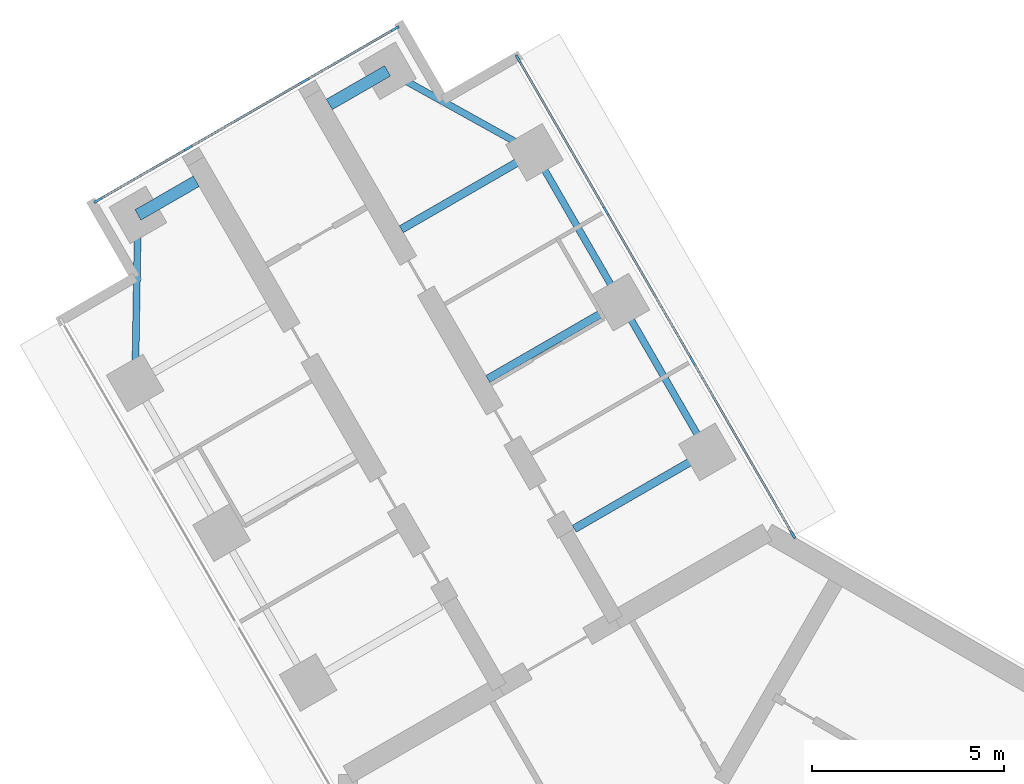
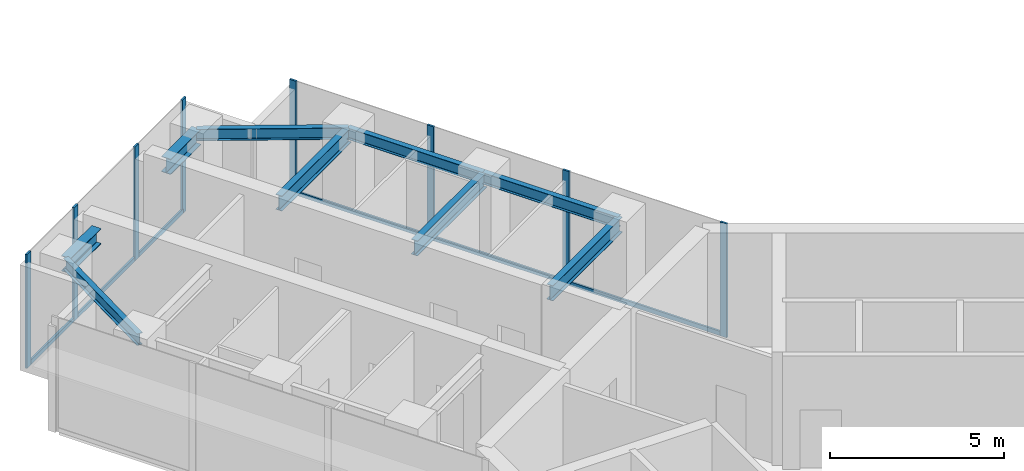
# One storey, part 6 of 17: 14 members, 9 beams, 2 elements without a shape of their own.
"""IFC4 building model written with IfcOpenShell, lengths in metres."""

from ifc_helpers import new_model, si_unit, direction, frame, origin, origin_2d, place, context, subcontext, project, spatial, rectangle, i_section, extrude, material, material_profile, profile_set, type_object, element, aggregate, save


model = new_model("IFC4")

# Units and contexts
model_context = context("Model", 3, precision=1e-05, world=origin(), true_north=direction((0.0, 1.0)))
body_context = subcontext(model_context, "Body", "Model", "MODEL_VIEW")
ifc_project = project(units=[si_unit("LENGTHUNIT", "METRE"), si_unit("AREAUNIT", "SQUARE_METRE"), si_unit("VOLUMEUNIT", "CUBIC_METRE"), si_unit("PLANEANGLEUNIT", "RADIAN"), si_unit("MASSUNIT", "GRAM", prefix="KILO")], contexts=[model_context])

# Site, building, storey
site_placement = place(None, origin())
site = spatial("IfcSite", under=ifc_project, at=site_placement, CompositionType="ELEMENT")
building_placement = place(site_placement, origin())
building = spatial("IfcBuilding", under=site, at=building_placement, Name="Upepo Twin Towers", CompositionType="ELEMENT")
storey_placement = place(building_placement, frame((0.0, 0.0, 234.5)))
storey = spatial("IfcBuildingStorey", under=building, at=storey_placement, Name="L57", CompositionType="ELEMENT", Elevation=234.5)

# Beams
ifc_material_1 = material(Name="Steel S355", Category="steel")
ifc_material_profile_1 = material_profile(ifc_material_1, i_section(OverallWidth=0.177978515625, OverallDepth=0.406494140625, WebThickness=0.0078125, FlangeThickness=0.0126953125, FilletRadius=0.01025390625, at=origin_2d()), Name="UB 406x178x60")
ifc_profile_set_1 = profile_set([ifc_material_profile_1], Name="Steel S355")
beam_type_1 = type_object("IfcBeamType", Name="Beam UB 406x178x60", PredefinedType="BEAM", material=ifc_profile_set_1)
beam_1_placement = place(storey_placement, frame((-16.446044921875, 16.485595703125, 3.496826171875), z_axis=(0.016803880528, 0.999858804832, 0.0), x_axis=(-0.999858804832, 0.016803880528, 0.0)))
element("IfcBeam", 1, at=beam_1_placement, inside=storey, type_object=beam_type_1, Name="T1 nose edge beam BL", PredefinedType="BEAM", context=body_context, shape_type="SweptSolid", body=[
    extrude(i_section(OverallWidth=0.177978515625, OverallDepth=0.406494140625, WebThickness=0.0078125, FlangeThickness=0.0126953125, FilletRadius=0.01025390625, at=origin_2d()), origin(), (0.0, 0.0, 1.0), 4.373291015625),
])
beam_2_placement = place(storey_placement, frame((-1.553955078125, 14.69140625, 3.496826171875), z_axis=(-0.500013631625, 0.866017533419, 0.0), x_axis=(-0.866017533419, -0.500013631625, 0.0)))
element("IfcBeam", 2, at=beam_2_placement, inside=storey, type_object=beam_type_1, Name="T1 edge beam BR 13.5-18.0", PredefinedType="BEAM", context=body_context, shape_type="SweptSolid", body=[
    extrude(i_section(OverallWidth=0.177978515625, OverallDepth=0.406494140625, WebThickness=0.0078125, FlangeThickness=0.0126953125, FilletRadius=0.01025390625, at=origin_2d()), origin(), (0.0, 0.0, 1.0), 4.499755859375),
])
beam_3_placement = place(storey_placement, frame((-3.803955078125, 18.58837890625, 3.496826171875), z_axis=(-0.499990139034, 0.866031096941, 0.0), x_axis=(-0.866031096941, -0.499990139034, 0.0)))
element("IfcBeam", 3, at=beam_3_placement, inside=storey, type_object=beam_type_1, Name="T1 edge beam BR 18.0-22.5", PredefinedType="BEAM", context=body_context, shape_type="SweptSolid", body=[
    extrude(i_section(OverallWidth=0.177978515625, OverallDepth=0.406494140625, WebThickness=0.0078125, FlangeThickness=0.0126953125, FilletRadius=0.01025390625, at=origin_2d()), origin(), (0.0, 0.0, 1.0), 4.5),
])
beam_4_placement = place(storey_placement, frame((-6.053955078125, 22.485595703125, 3.496826171875), z_axis=(-0.874312600038, 0.485363242752, 0.0), x_axis=(-0.485363242752, -0.874312600038, 0.0)))
element("IfcBeam", 4, at=beam_4_placement, inside=storey, type_object=beam_type_1, Name="T1 nose edge beam BR", PredefinedType="BEAM", context=body_context, shape_type="SweptSolid", body=[
    extrude(i_section(OverallWidth=0.177978515625, OverallDepth=0.406494140625, WebThickness=0.0078125, FlangeThickness=0.0126953125, FilletRadius=0.01025390625, at=origin_2d()), origin(), (0.0, 0.0, 1.0), 4.373046875),
])
ifc_material_2 = material(Name="Steel S355", Category="steel")
ifc_material_profile_2 = material_profile(ifc_material_2, i_section(OverallWidth=0.209228515625, OverallDepth=0.533203125, WebThickness=0.010009765625, FlangeThickness=0.015625, FilletRadius=0.0126953125, at=origin_2d()), Name="UB 533x210x92")
ifc_profile_set_2 = profile_set([ifc_material_profile_2], Name="Steel S355")
beam_type_2 = type_object("IfcBeamType", Name="Beam UB 533x210x92", PredefinedType="BEAM", material=ifc_profile_set_2)
for number, where, z_axis, x_axis, name in (
    (5, (-1.553955078125, 14.69140625, 3.433349609375), (-0.866026010844, -0.49999894854, 0.0), (0.49999894854, -0.866026010844, 0.0), "T1 girder BR at 13.5"),
    (6, (-3.803955078125, 18.58837890625, 3.433349609375), (-0.866026010844, -0.49999894854, 0.0), (0.49999894854, -0.866026010844, 0.0), "T1 girder BR at 18.0"),
    (7, (-6.053955078125, 22.485595703125, 3.433349609375), (-0.866026010844, -0.49999894854, 0.0), (0.49999894854, -0.866026010844, 0.0), "T1 girder BR at 22.5"),
):
    element("IfcBeam", number, at=place(storey_placement, frame(where, z_axis=z_axis, x_axis=x_axis)), inside=storey, type_object=beam_type_2, Name=name, PredefinedType="BEAM", context=body_context, shape_type="SweptSolid", body=[
        extrude(i_section(OverallWidth=0.209228515625, OverallDepth=0.533203125, WebThickness=0.010009765625, FlangeThickness=0.015625, FilletRadius=0.0126953125, at=origin_2d()), origin(), (0.0, 0.0, 1.0), 4.0),
    ])
ifc_material_3 = material(Name="Steel S355", Category="steel")
ifc_material_profile_3 = material_profile(ifc_material_3, i_section(OverallWidth=0.31201171875, OverallDepth=0.54345703125, WebThickness=0.0126953125, FlangeThickness=0.020263671875, FilletRadius=0.0126953125, at=origin_2d()), Name="UB 533x312x150")
ifc_profile_set_3 = profile_set([ifc_material_profile_3], Name="Steel S355")
beam_type_3 = type_object("IfcBeamType", Name="Beam UB 533x312x150", PredefinedType="BEAM", material=ifc_profile_set_3)
for number, where, z_axis, x_axis, name in (
    (8, (-16.37255859375, 20.858154296875, 3.42822265625), (0.866036909293, 0.499980071345, 0.0), (-0.499980071345, 0.866036909293, 0.0), "T1 nose beam BL"),
    (9, (-9.87744140625, 24.608154296875, 3.42822265625), (-0.866036909293, -0.499980071345, 0.0), (0.499980071345, -0.866036909293, 0.0), "T1 nose beam BR"),
):
    element("IfcBeam", number, at=place(storey_placement, frame(where, z_axis=z_axis, x_axis=x_axis)), inside=storey, type_object=beam_type_3, Name=name, PredefinedType="BEAM", context=body_context, shape_type="SweptSolid", body=[
        extrude(i_section(OverallWidth=0.31201171875, OverallDepth=0.54345703125, WebThickness=0.0126953125, FlangeThickness=0.020263671875, FilletRadius=0.0126953125, at=origin_2d()), origin(), (0.0, 0.0, 1.0), 1.75),
    ])

# Curtain wall, members
ifc_material_4 = material(Name="Aluminium and fritted glass", Category="aluminium")
curtain_wall_type = type_object("IfcCurtainWallType", Name="Tower curtain wall TW3, fritted glass", PredefinedType="NOTDEFINED", material=ifc_material_4)
curtain_wall_1_placement = place(storey_placement, origin())
curtain_wall_1 = element("IfcCurtainWall", 10, at=curtain_wall_1_placement, inside=storey, type_object=curtain_wall_type, Name="T1 L57 wing B flank R curtain wall", PredefinedType="NOTDEFINED")
ifc_material_5 = material(Name="Aluminium mullion", Category="aluminium")
ifc_material_profile_4 = material_profile(ifc_material_5, rectangle(XDim=0.06494140625, YDim=0.22509765625, at=origin_2d()), Name="MULLION 65x225")
ifc_profile_set_4 = profile_set([ifc_material_profile_4], Name="Aluminium mullion")
member_type_1 = type_object("IfcMemberType", Name="Mullion 65x225 TW3", PredefinedType="MULLION", material=ifc_profile_set_4)
member_1_placement = place(storey_placement, frame((-6.4765625, 24.91748046875, 0.0), z_axis=(0.0, 0.0, 1.0), x_axis=(0.866025388469, 0.500000026527, 0.0)))
member_1 = element("IfcMember", 11, at=member_1_placement, type_object=member_type_1, Name="T1 L57 wing B flank R curtain wall mullion 1", PredefinedType="MULLION", context=body_context, shape_type="SweptSolid", body=[
    extrude(rectangle(XDim=0.06494140625, YDim=0.22509765625, at=origin_2d()), origin(), (0.0, 0.0, 1.0), 4.0),
])
member_2_placement = place(storey_placement, frame((-4.192626953125, 20.9619140625, 0.0), z_axis=(0.0, 0.0, 1.0), x_axis=(0.866025388469, 0.500000026527, 0.0)))
member_2 = element("IfcMember", 12, at=member_2_placement, type_object=member_type_1, Name="T1 L57 wing B flank R curtain wall mullion 2", PredefinedType="MULLION", context=body_context, shape_type="SweptSolid", body=[
    extrude(rectangle(XDim=0.06494140625, YDim=0.22509765625, at=origin_2d()), origin(), (0.0, 0.0, 1.0), 4.0),
])
member_3_placement = place(storey_placement, frame((-1.942626953125, 17.06494140625, 0.0), z_axis=(0.0, 0.0, 1.0), x_axis=(0.866025388469, 0.500000026527, 0.0)))
member_3 = element("IfcMember", 13, at=member_3_placement, type_object=member_type_1, Name="T1 L57 wing B flank R curtain wall mullion 3", PredefinedType="MULLION", context=body_context, shape_type="SweptSolid", body=[
    extrude(rectangle(XDim=0.06494140625, YDim=0.22509765625, at=origin_2d()), origin(), (0.0, 0.0, 1.0), 4.0),
])
member_4_placement = place(storey_placement, frame((0.67236328125, 12.53515625, 0.0), z_axis=(0.0, 0.0, 1.0), x_axis=(0.866025388469, 0.500000026527, 0.0)))
member_4 = element("IfcMember", 14, at=member_4_placement, type_object=member_type_1, Name="T1 L57 wing B flank R curtain wall mullion 4", PredefinedType="MULLION", context=body_context, shape_type="SweptSolid", body=[
    extrude(rectangle(XDim=0.06494140625, YDim=0.22509765625, at=origin_2d()), origin(), (0.0, 0.0, 1.0), 4.0),
])

curtain_wall_2_placement = place(storey_placement, origin())
curtain_wall_2 = element("IfcCurtainWall", 15, at=curtain_wall_2_placement, inside=storey, type_object=curtain_wall_type, Name="T1 L57 wing B nose curtain wall", PredefinedType="NOTDEFINED")
member_5_placement = place(storey_placement, frame((-9.68115234375, 25.703125, 0.0), z_axis=(0.0, 0.0, 1.0), x_axis=(0.500000030502, -0.866025386174, 0.0)))
member_5 = element("IfcMember", 16, at=member_5_placement, type_object=member_type_1, Name="T1 L57 wing B nose curtain wall mullion 1", PredefinedType="MULLION", context=body_context, shape_type="SweptSolid", body=[
    extrude(rectangle(XDim=0.06494140625, YDim=0.22509765625, at=origin_2d()), origin(), (0.0, 0.0, 1.0), 4.0),
])
member_6_placement = place(storey_placement, frame((-12.034423828125, 24.34423828125, 0.0), z_axis=(0.0, 0.0, 1.0), x_axis=(0.500000030502, -0.866025386174, 0.0)))
member_6 = element("IfcMember", 17, at=member_6_placement, type_object=member_type_1, Name="T1 L57 wing B nose curtain wall mullion 2", PredefinedType="MULLION", context=body_context, shape_type="SweptSolid", body=[
    extrude(rectangle(XDim=0.06494140625, YDim=0.22509765625, at=origin_2d()), origin(), (0.0, 0.0, 1.0), 4.0),
])
member_7_placement = place(storey_placement, frame((-15.0654296875, 22.59423828125, 0.0), z_axis=(0.0, 0.0, 1.0), x_axis=(0.500000030502, -0.866025386174, 0.0)))
member_7 = element("IfcMember", 18, at=member_7_placement, type_object=member_type_1, Name="T1 L57 wing B nose curtain wall mullion 3", PredefinedType="MULLION", context=body_context, shape_type="SweptSolid", body=[
    extrude(rectangle(XDim=0.06494140625, YDim=0.22509765625, at=origin_2d()), origin(), (0.0, 0.0, 1.0), 4.0),
])
member_8_placement = place(storey_placement, frame((-17.4189453125, 21.235595703125, 0.0), z_axis=(0.0, 0.0, 1.0), x_axis=(0.500000030502, -0.866025386174, 0.0)))
member_8 = element("IfcMember", 19, at=member_8_placement, type_object=member_type_1, Name="T1 L57 wing B nose curtain wall mullion 4", PredefinedType="MULLION", context=body_context, shape_type="SweptSolid", body=[
    extrude(rectangle(XDim=0.06494140625, YDim=0.22509765625, at=origin_2d()), origin(), (0.0, 0.0, 1.0), 4.0),
])

# Member
ifc_material_6 = material(Name="Aluminium transom", Category="aluminium")
ifc_material_profile_5 = material_profile(ifc_material_6, rectangle(XDim=0.06494140625, YDim=0.14990234375, at=origin_2d()), Name="TRANSOM 65x150")
ifc_profile_set_5 = profile_set([ifc_material_profile_5], Name="Aluminium transom")
member_type_2 = type_object("IfcMemberType", Name="Transom 65x150 TW3", PredefinedType="USERDEFINED", material=ifc_profile_set_5)
member_9_placement = place(storey_placement, frame((-6.460205078125, 24.889404296875, 0.074951171875), z_axis=(0.500005646842, -0.866022143554, 0.0), x_axis=(0.866022143554, 0.500005646842, 0.0)))
member_9 = element("IfcMember", 20, at=member_9_placement, type_object=member_type_2, Name="T1 L57 wing B flank R curtain wall transom 1", ObjectType="TRANSOM", PredefinedType="USERDEFINED", context=body_context, shape_type="SweptSolid", body=[
    extrude(rectangle(XDim=0.06494140625, YDim=0.14990234375, at=origin_2d()), origin(), (0.0, 0.0, 1.0), 4.50244140625),
])

member_10_placement = place(storey_placement, frame((-4.176513671875, 20.933837890625, 0.074951171875), z_axis=(0.500005184116, -0.866022410713, 0.0), x_axis=(0.866022410713, 0.500005184116, 0.0)))
member_10 = element("IfcMember", 21, at=member_10_placement, type_object=member_type_2, Name="T1 L57 wing B flank R curtain wall transom 2", ObjectType="TRANSOM", PredefinedType="USERDEFINED", context=body_context, shape_type="SweptSolid", body=[
    extrude(rectangle(XDim=0.06494140625, YDim=0.14990234375, at=origin_2d()), origin(), (0.0, 0.0, 1.0), 4.43505859375),
])

member_11_placement = place(storey_placement, frame((-1.926513671875, 17.036865234375, 0.074951171875), z_axis=(0.500007480159, -0.86602108507, 0.0), x_axis=(0.86602108507, 0.500007480159, 0.0)))
member_11 = element("IfcMember", 22, at=member_11_placement, type_object=member_type_2, Name="T1 L57 wing B flank R curtain wall transom 3", ObjectType="TRANSOM", PredefinedType="USERDEFINED", context=body_context, shape_type="SweptSolid", body=[
    extrude(rectangle(XDim=0.06494140625, YDim=0.14990234375, at=origin_2d()), origin(), (0.0, 0.0, 1.0), 5.16552734375),
])

aggregate(curtain_wall_1, [member_1, member_2, member_3, member_4, member_9, member_10, member_11])

member_12_placement = place(storey_placement, frame((-9.709228515625, 25.686767578125, 0.074951171875), z_axis=(-0.866036909293, -0.499980071345, 0.0), x_axis=(0.499980071345, -0.866036909293, 0.0)))
member_12 = element("IfcMember", 23, at=member_12_placement, type_object=member_type_2, Name="T1 L57 wing B nose curtain wall transom 1", ObjectType="TRANSOM", PredefinedType="USERDEFINED", context=body_context, shape_type="SweptSolid", body=[
    extrude(rectangle(XDim=0.06494140625, YDim=0.14990234375, at=origin_2d()), origin(), (0.0, 0.0, 1.0), 2.65234375),
])

member_13_placement = place(storey_placement, frame((-12.0625, 24.328125, 0.074951171875), z_axis=(-0.866025804792, -0.499999305434, 0.0), x_axis=(0.499999305434, -0.866025804792, 0.0)))
member_13 = element("IfcMember", 24, at=member_13_placement, type_object=member_type_2, Name="T1 L57 wing B nose curtain wall transom 2", ObjectType="TRANSOM", PredefinedType="USERDEFINED", context=body_context, shape_type="SweptSolid", body=[
    extrude(rectangle(XDim=0.06494140625, YDim=0.14990234375, at=origin_2d()), origin(), (0.0, 0.0, 1.0), 3.43505859375),
])

member_14_placement = place(storey_placement, frame((-15.09375, 22.578125, 0.074951171875), z_axis=(-0.865997053448, -0.500049101008, 0.0), x_axis=(0.500049101008, -0.865997053448, 0.0)))
member_14 = element("IfcMember", 25, at=member_14_placement, type_object=member_type_2, Name="T1 L57 wing B nose curtain wall transom 3", ObjectType="TRANSOM", PredefinedType="USERDEFINED", context=body_context, shape_type="SweptSolid", body=[
    extrude(rectangle(XDim=0.06494140625, YDim=0.14990234375, at=origin_2d()), origin(), (0.0, 0.0, 1.0), 2.652587890625),
])

aggregate(curtain_wall_2, [member_5, member_6, member_7, member_8, member_12, member_13, member_14])

save(model, "model.ifc")
